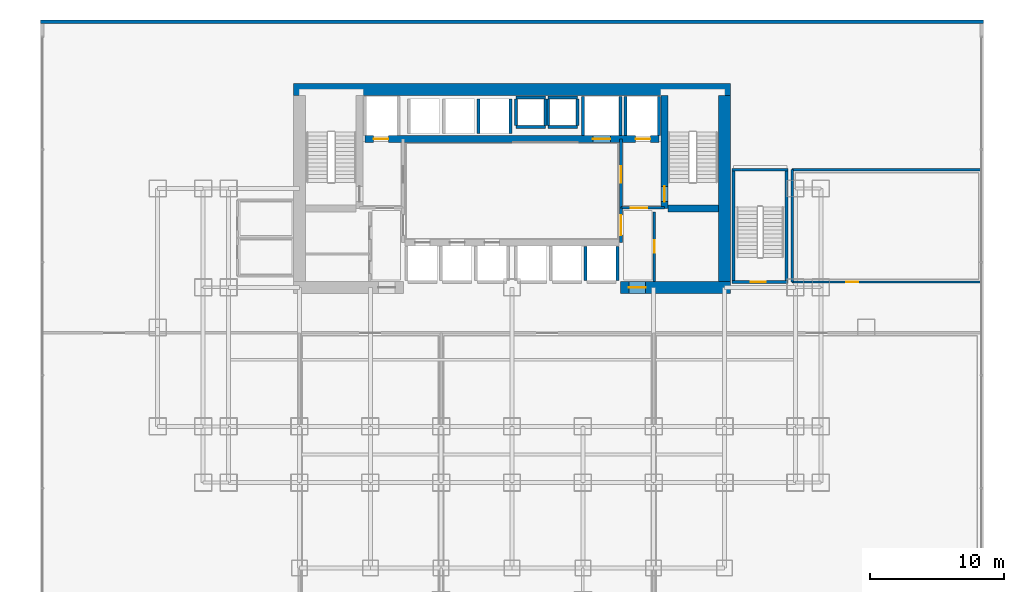
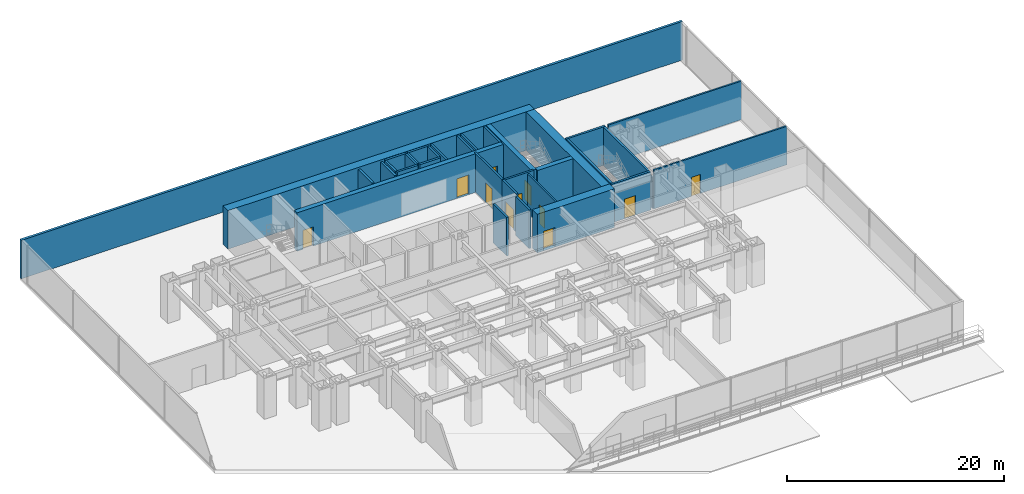
# One storey, part 10 of 13: 34 walls, 11 doors, 11 openings.
"""IFC4 building model written with IfcOpenShell, lengths in metres."""

from ifc_helpers import new_model, si_unit, direction, frame, frame_2d, origin, place, context, subcontext, project, spatial, rectangle, extrude, material, layer, layer_set, type_object, element, fill, save


model = new_model("IFC4")

# Units and contexts
model_context = context("Model", 3, precision=1e-05, world=origin(), true_north=direction((0.0, 1.0)))
body_context = subcontext(model_context, "Body", "Model", "MODEL_VIEW")
ifc_project = project(units=[si_unit("LENGTHUNIT", "METRE"), si_unit("AREAUNIT", "SQUARE_METRE"), si_unit("VOLUMEUNIT", "CUBIC_METRE"), si_unit("PLANEANGLEUNIT", "RADIAN"), si_unit("MASSUNIT", "GRAM", prefix="KILO")], contexts=[model_context])

# Site, building, storey
site_placement = place(None, origin())
site = spatial("IfcSite", under=ifc_project, at=site_placement, CompositionType="ELEMENT")
building_placement = place(site_placement, origin())
building = spatial("IfcBuilding", under=site, at=building_placement, Name="Qianlan Lanfeng Residences", CompositionType="ELEMENT")
storey_placement = place(building_placement, frame((0.0, 0.0, 5.199951171875)))
storey = spatial("IfcBuildingStorey", under=building, at=storey_placement, Name="L01", CompositionType="ELEMENT", Elevation=5.199951171875)

# Wall, opening, door
ifc_material_1 = material(Name="Concrete C70", Category="concrete")
ifc_layer_1 = layer(ifc_material_1, 0.5)
ifc_layer_set_1 = layer_set([ifc_layer_1], Name="Concrete C70")
wall_type_1 = type_object("IfcWallType", Name="CW-RC-500", PredefinedType="SHEAR", material=ifc_layer_set_1)
wall_1_placement = place(storey_placement, frame((37.89990234375, 31.10009765625, 0.0), z_axis=(0.0, 0.0, 1.0), x_axis=(0.0, 1.0, 0.0)))
wall_1 = element("IfcWall", 1, at=wall_1_placement, inside=storey, type_object=wall_type_1, Name="L01 Core Shear Wall ST2W", PredefinedType="SHEAR", context=body_context, shape_type="SweptSolid", body=[
    extrude(rectangle(XDim=8.449951171875, YDim=0.5, at=frame_2d((4.22509765625, 0.0))), origin(), (0.0, 0.0, 1.0), 4.35009765625),
])
opening_1_placement = place(wall_1_placement, frame((0.510009765625, 0.0, 0.0)))
opening_1 = element("IfcOpeningElement", 2, at=opening_1_placement, cuts=wall_1, Name="Opening L01-D08", PredefinedType="OPENING", context=body_context, shape_type="SweptSolid", body=[
    extrude(rectangle(XDim=1.14990234375, YDim=2.199951171875, at=frame_2d((0.574951171875, 1.10009765625))), frame((0.0, 0.260009765625, 0.0), z_axis=(0.0, -1.0, 0.0), x_axis=(1.0, 0.0, 0.0)), (0.0, 0.0, 1.0), 0.52001953125),
])
ifc_material_2 = material(Name="Painted Galvanised Steel Fire Door", Category="steel")
door_type_1 = type_object("IfcDoorType", Name="DT-ST1", OperationType="NOTDEFINED", PredefinedType="DOOR", material=ifc_material_2)
door_1_placement = place(opening_1_placement, origin())
door_1 = element("IfcDoor", 3, at=door_1_placement, inside=storey, type_object=door_type_1, Name="L01 Exit Stair ST-2 Door L01-D08 (DT-ST1)", OperationType="SINGLE_SWING_RIGHT", OverallHeight=2.199951171875, OverallWidth=1.14990234375, PredefinedType="DOOR", context=body_context, shape_type="SweptSolid", body=[
    extrude(rectangle(XDim=1.14990234375, YDim=2.199951171875, at=frame_2d((0.574951171875, 1.10009765625))), frame((0.0, 0.02490234375, 0.0), z_axis=(0.0, -1.0, 0.0), x_axis=(1.0, 0.0, 0.0)), (0.0, 0.0, 1.0), 0.050048828125),
])
fill(opening_1, door_1)

# Wall
wall_2_placement = place(storey_placement, frame((38.14990234375, 31.10009765625, 0.0), z_axis=(0.0, 0.0, 1.0), x_axis=(1.0, 0.0, 0.0)))
element("IfcWall", 4, at=wall_2_placement, inside=storey, type_object=wall_type_1, Name="L01 Core Shear Wall ST2S", PredefinedType="SHEAR", context=body_context, shape_type="SweptSolid", body=[
    extrude(rectangle(XDim=3.800048828125, YDim=0.5, at=frame_2d((1.89990234375, 0.0))), origin(), (0.0, 0.0, 1.0), 4.35009765625),
])

# Wall, openings, doors
wall_3_placement = place(storey_placement, frame((15.5, 36.300048828125, 0.0), z_axis=(0.0, 0.0, 1.0), x_axis=(1.0, 0.0, 0.0)))
wall_3 = element("IfcWall", 5, at=wall_3_placement, inside=storey, type_object=wall_type_1, Name="L01 Core Shear Wall LBN", PredefinedType="SHEAR", context=body_context, shape_type="SweptSolid", body=[
    extrude(rectangle(XDim=22.0, YDim=0.5, at=frame_2d((11.0, 0.0))), origin(), (0.0, 0.0, 1.0), 4.35009765625),
])
opening_2_placement = place(wall_3_placement, frame((0.64990234375, 0.0, 0.0)))
opening_2 = element("IfcOpeningElement", 6, at=opening_2_placement, cuts=wall_3, Name="Opening L01-LD-FFL-1", PredefinedType="OPENING", context=body_context, shape_type="SweptSolid", body=[
    extrude(rectangle(XDim=1.10009765625, YDim=2.14990234375, at=frame_2d((0.550048828125, 1.074951171875))), frame((0.0, 0.260009765625, 0.0), z_axis=(0.0, -1.0, 0.0), x_axis=(1.0, 0.0, 0.0)), (0.0, 0.0, 1.0), 0.52001953125),
])
opening_3_placement = place(wall_3_placement, frame((20.25, 0.0, 0.0)))
opening_3 = element("IfcOpeningElement", 7, at=opening_3_placement, cuts=wall_3, Name="Opening L01-LD-FFL-2", PredefinedType="OPENING", context=body_context, shape_type="SweptSolid", body=[
    extrude(rectangle(XDim=1.10009765625, YDim=2.14990234375, at=frame_2d((0.550048828125, 1.074951171875))), frame((0.0, 0.260009765625, 0.0), z_axis=(0.0, -1.0, 0.0), x_axis=(1.0, 0.0, 0.0)), (0.0, 0.0, 1.0), 0.52001953125),
])
opening_4_placement = place(wall_3_placement, frame((17.050048828125, 0.0, 0.0)))
opening_4 = element("IfcOpeningElement", 8, at=opening_4_placement, cuts=wall_3, Name="Opening L01-LD-SVL-1", PredefinedType="OPENING", context=body_context, shape_type="SweptSolid", body=[
    extrude(rectangle(XDim=1.300048828125, YDim=2.199951171875, at=frame_2d((0.64990234375, 1.10009765625))), frame((0.0, 0.260009765625, 0.0), z_axis=(0.0, -1.0, 0.0), x_axis=(1.0, 0.0, 0.0)), (0.0, 0.0, 1.0), 0.52001953125),
])
ifc_material_3 = material(Name="Brushed Stainless Steel Sliding Lift Door", Category="steel")
door_type_2 = type_object("IfcDoorType", Name="LD-01", OperationType="NOTDEFINED", PredefinedType="DOOR", material=ifc_material_3)
door_2_placement = place(opening_2_placement, frame((1.10009765625, 0.0, 0.0), z_axis=(0.0, 0.0, 1.0), x_axis=(-1.0, 0.0, 0.0)))
door_2 = element("IfcDoor", 9, at=door_2_placement, inside=storey, type_object=door_type_2, Name="L01 Elevator FFL-1 Sliding Landing Door", OperationType="DOUBLE_DOOR_SLIDING", OverallHeight=2.14990234375, OverallWidth=1.10009765625, PredefinedType="DOOR", context=body_context, shape_type="SweptSolid", body=[
    extrude(rectangle(XDim=1.10009765625, YDim=2.14990234375, at=frame_2d((0.550048828125, 1.074951171875))), frame((0.0, 0.02490234375, 0.0), z_axis=(0.0, -1.0, 0.0), x_axis=(1.0, 0.0, 0.0)), (0.0, 0.0, 1.0), 0.050048828125),
])
fill(opening_2, door_2)
door_3_placement = place(opening_3_placement, frame((1.10009765625, 0.0, 0.0), z_axis=(0.0, 0.0, 1.0), x_axis=(-1.0, 0.0, 0.0)))
door_3 = element("IfcDoor", 10, at=door_3_placement, inside=storey, type_object=door_type_2, Name="L01 Elevator FFL-2 Sliding Landing Door", OperationType="DOUBLE_DOOR_SLIDING", OverallHeight=2.14990234375, OverallWidth=1.10009765625, PredefinedType="DOOR", context=body_context, shape_type="SweptSolid", body=[
    extrude(rectangle(XDim=1.10009765625, YDim=2.14990234375, at=frame_2d((0.550048828125, 1.074951171875))), frame((0.0, 0.02490234375, 0.0), z_axis=(0.0, -1.0, 0.0), x_axis=(1.0, 0.0, 0.0)), (0.0, 0.0, 1.0), 0.050048828125),
])
fill(opening_3, door_3)
door_type_3 = type_object("IfcDoorType", Name="LD-02", OperationType="NOTDEFINED", PredefinedType="DOOR", material=ifc_material_3)
door_4_placement = place(opening_4_placement, frame((1.300048828125, 0.0, 0.0), z_axis=(0.0, 0.0, 1.0), x_axis=(-1.0, 0.0, 0.0)))
door_4 = element("IfcDoor", 11, at=door_4_placement, inside=storey, type_object=door_type_3, Name="L01 Elevator SVL-1 Sliding Landing Door", OperationType="DOUBLE_DOOR_SLIDING", OverallHeight=2.199951171875, OverallWidth=1.300048828125, PredefinedType="DOOR", context=body_context, shape_type="SweptSolid", body=[
    extrude(rectangle(XDim=1.300048828125, YDim=2.199951171875, at=frame_2d((0.64990234375, 1.10009765625))), frame((0.0, 0.02490234375, 0.0), z_axis=(0.0, -1.0, 0.0), x_axis=(1.0, 0.0, 0.0)), (0.0, 0.0, 1.0), 0.050048828125),
])
fill(opening_4, door_4)

# Walls
ifc_layer_2 = layer(ifc_material_1, 0.89990234375)
ifc_layer_set_2 = layer_set([ifc_layer_2], Name="Concrete C70")
wall_type_2 = type_object("IfcWallType", Name="CW-RC-900", PredefinedType="SHEAR", material=ifc_layer_set_2)
wall_4_placement = place(storey_placement, frame((10.14990234375, 40.0, 0.0), z_axis=(0.0, 0.0, 1.0), x_axis=(1.0, 0.0, 0.0)))
element("IfcWall", 12, at=wall_4_placement, inside=storey, type_object=wall_type_2, Name="L01 Core Shear Wall N", PredefinedType="SHEAR", context=body_context, shape_type="SweptSolid", body=[
    extrude(rectangle(XDim=32.7001953125, YDim=0.89990234375, at=frame_2d((16.35009765625, 0.0))), origin(), (0.0, 0.0, 1.0), 4.35009765625),
])
wall_5_placement = place(storey_placement, frame((42.39990234375, 25.64990234375, 0.0), z_axis=(0.0, 0.0, 1.0), x_axis=(0.0, 1.0, 0.0)))
element("IfcWall", 13, at=wall_5_placement, inside=storey, type_object=wall_type_2, Name="L01 Core Shear Wall E", PredefinedType="SHEAR", context=body_context, shape_type="SweptSolid", body=[
    extrude(rectangle(XDim=13.900146484375, YDim=0.89990234375, at=frame_2d((6.9501953125, 0.0))), origin(), (0.0, 0.0, 1.0), 4.35009765625),
])

# Wall, opening, door
wall_6_placement = place(storey_placement, frame((34.60009765625, 25.199951171875, 0.0), z_axis=(0.0, 0.0, 1.0), x_axis=(1.0, 0.0, 0.0)))
wall_6 = element("IfcWall", 14, at=wall_6_placement, inside=storey, type_object=wall_type_2, Name="L01 Core Shear Wall SE", PredefinedType="SHEAR", context=body_context, shape_type="SweptSolid", body=[
    extrude(rectangle(XDim=8.25, YDim=0.89990234375, at=frame_2d((4.125, 0.0))), origin(), (0.0, 0.0, 1.0), 4.35009765625),
])
opening_5_placement = place(wall_6_placement, frame((0.64990234375, 0.0, 0.0)))
opening_5 = element("IfcOpeningElement", 15, at=opening_5_placement, cuts=wall_6, Name="Opening L01-D02", PredefinedType="OPENING", context=body_context, shape_type="SweptSolid", body=[
    extrude(rectangle(XDim=1.25, YDim=2.199951171875, at=frame_2d((0.625, 1.10009765625))), frame((0.0, 0.4599609375, 0.0), z_axis=(0.0, -1.0, 0.0), x_axis=(1.0, 0.0, 0.0)), (0.0, 0.0, 1.0), 0.919921875),
])
door_type_4 = type_object("IfcDoorType", Name="DT-FFL", OperationType="NOTDEFINED", PredefinedType="DOOR", material=ifc_material_2)
door_5_placement = place(opening_5_placement, frame((1.25, 0.0, 0.0), z_axis=(0.0, 0.0, 1.0), x_axis=(-1.0, 0.0, 0.0)))
door_5 = element("IfcDoor", 16, at=door_5_placement, inside=storey, type_object=door_type_4, Name="L01 East Core Lobby Smoke Door L01-D02 (DT-FFL)", OperationType="SINGLE_SWING_LEFT", OverallHeight=2.199951171875, OverallWidth=1.25, PredefinedType="DOOR", context=body_context, shape_type="SweptSolid", body=[
    extrude(rectangle(XDim=1.25, YDim=2.199951171875, at=frame_2d((0.625, 1.10009765625))), frame((0.0, 0.02490234375, 0.0), z_axis=(0.0, -1.0, 0.0), x_axis=(1.0, 0.0, 0.0)), (0.0, 0.0, 1.0), 0.050048828125),
])
fill(opening_5, door_5)

# Wall
ifc_material_4 = material(Name="Concrete C42", Category="concrete")
ifc_layer_3 = layer(ifc_material_4, 0.260009765625)
ifc_layer_set_3 = layer_set([ifc_layer_3], Name="Concrete C42")
wall_type_3 = type_object("IfcWallType", Name="EW-260", PredefinedType="SOLIDWALL", material=ifc_layer_set_3)
wall_7_placement = place(storey_placement, frame((61.75, 45.070068359375, 0.0), z_axis=(0.0, 0.0, 1.0), x_axis=(-1.0, 0.0, 0.0)))
element("IfcWall", 17, at=wall_7_placement, inside=storey, type_object=wall_type_3, Name="L01 North Exterior Wall", PredefinedType="SOLIDWALL", context=body_context, shape_type="SweptSolid", body=[
    extrude(rectangle(XDim=70.5, YDim=0.260009765625, at=frame_2d((35.25, 0.0))), origin(), (0.0, 0.0, 1.0), 4.35009765625),
])

# Wall, opening, door
ifc_material_5 = material(Name="Double-Layer Acoustic Gypsum Stud Wall 180 mm")
ifc_layer_4 = layer(ifc_material_5, 0.179931640625)
ifc_layer_set_4 = layer_set([ifc_layer_4], Name="Double-Layer Acoustic Gypsum Stud Wall 180 mm")
wall_type_4 = type_object("IfcWallType", Name="PW-180", PredefinedType="PARTITIONING", material=ifc_layer_set_4)
wall_8_placement = place(storey_placement, frame((37.14990234375, 25.64990234375, 0.0), z_axis=(0.0, 0.0, 1.0), x_axis=(0.0, 1.0, 0.0)))
wall_8 = element("IfcWall", 18, at=wall_8_placement, inside=storey, type_object=wall_type_4, Name="L01 Core East Service Room Wall", PredefinedType="PARTITIONING", context=body_context, shape_type="SweptSolid", body=[
    extrude(rectangle(XDim=5.2001953125, YDim=0.179931640625, at=frame_2d((2.60009765625, 0.0))), origin(), (0.0, 0.0, 1.0), 4.35009765625),
])
opening_6_placement = place(wall_8_placement, frame((2.139892578125, 0.0, 0.0)))
opening_6 = element("IfcOpeningElement", 19, at=opening_6_placement, cuts=wall_8, Name="Opening L01-D11", PredefinedType="OPENING", context=body_context, shape_type="SweptSolid", body=[
    extrude(rectangle(XDim=0.919921875, YDim=2.14990234375, at=frame_2d((0.4599609375, 1.074951171875))), frame((0.0, 0.10009765625, 0.0), z_axis=(0.0, -1.0, 0.0), x_axis=(1.0, 0.0, 0.0)), (0.0, 0.0, 1.0), 0.199951171875),
])
ifc_material_6 = material(Name="Glazed Timber Kitchen/Study Door", Category="wood")
door_type_5 = type_object("IfcDoorType", Name="DT-INT", OperationType="NOTDEFINED", PredefinedType="DOOR", material=ifc_material_6)
door_6_placement = place(opening_6_placement, origin())
door_6 = element("IfcDoor", 20, at=door_6_placement, inside=storey, type_object=door_type_5, Name="L01 Mail Parcel Closet Door L01-D11 (DT-INT)", OperationType="SINGLE_SWING_RIGHT", OverallHeight=2.14990234375, OverallWidth=0.919921875, PredefinedType="DOOR", context=body_context, shape_type="SweptSolid", body=[
    extrude(rectangle(XDim=0.919921875, YDim=2.14990234375, at=frame_2d((0.4599609375, 1.074951171875))), frame((0.0, 0.02490234375, 0.0), z_axis=(0.0, -1.0, 0.0), x_axis=(1.0, 0.0, 0.0)), (0.0, 0.0, 1.0), 0.050048828125),
])
fill(opening_6, door_6)

# Wall
wall_9_placement = place(storey_placement, frame((47.449951171875, 25.60009765625, 0.0), z_axis=(0.0, 0.0, 1.0), x_axis=(0.0, 1.0, 0.0)))
element("IfcWall", 21, at=wall_9_placement, inside=storey, type_object=wall_type_4, Name="L01 East Salon West Wall", PredefinedType="PARTITIONING", context=body_context, shape_type="SweptSolid", body=[
    extrude(rectangle(XDim=8.39990234375, YDim=0.179931640625, at=frame_2d((4.199951171875, 0.0))), origin(), (0.0, 0.0, 1.0), 3.4951171875),
])

# Wall, opening, door
wall_10_placement = place(storey_placement, frame((47.449951171875, 25.60009765625, 0.0), z_axis=(0.0, 0.0, 1.0), x_axis=(1.0, 0.0, 0.0)))
wall_10 = element("IfcWall", 22, at=wall_10_placement, inside=storey, type_object=wall_type_4, Name="L01 East Salon South Wall", PredefinedType="PARTITIONING", context=body_context, shape_type="SweptSolid", body=[
    extrude(rectangle(XDim=14.179931640625, YDim=0.179931640625, at=frame_2d((7.08984375, 0.0))), origin(), (0.0, 0.0, 1.0), 4.35009765625),
])
opening_7_placement = place(wall_10_placement, frame((4.0400390625, 0.0, 0.0)))
opening_7 = element("IfcOpeningElement", 23, at=opening_7_placement, cuts=wall_10, Name="Opening L01-D19", PredefinedType="OPENING", context=body_context, shape_type="SweptSolid", body=[
    extrude(rectangle(XDim=0.919921875, YDim=2.14990234375, at=frame_2d((0.4599609375, 1.074951171875))), frame((0.0, 0.10009765625, 0.0), z_axis=(0.0, -1.0, 0.0), x_axis=(1.0, 0.0, 0.0)), (0.0, 0.0, 1.0), 0.199951171875),
])
door_7_placement = place(opening_7_placement, origin())
door_7 = element("IfcDoor", 24, at=door_7_placement, inside=storey, type_object=door_type_5, Name="L01 Resident Lounge Door L01-D19 (DT-INT)", OperationType="SINGLE_SWING_RIGHT", OverallHeight=2.14990234375, OverallWidth=0.919921875, PredefinedType="DOOR", context=body_context, shape_type="SweptSolid", body=[
    extrude(rectangle(XDim=0.919921875, YDim=2.14990234375, at=frame_2d((0.4599609375, 1.074951171875))), frame((0.0, 0.02490234375, 0.0), z_axis=(0.0, -1.0, 0.0), x_axis=(1.0, 0.0, 0.0)), (0.0, 0.0, 1.0), 0.050048828125),
])
fill(opening_7, door_7)

# Wall
wall_11_placement = place(storey_placement, frame((47.449951171875, 34.0, 0.0), z_axis=(0.0, 0.0, 1.0), x_axis=(1.0, 0.0, 0.0)))
element("IfcWall", 25, at=wall_11_placement, inside=storey, type_object=wall_type_4, Name="L01 East Salon North Wall", PredefinedType="PARTITIONING", context=body_context, shape_type="SweptSolid", body=[
    extrude(rectangle(XDim=14.179931640625, YDim=0.179931640625, at=frame_2d((7.08984375, 0.0))), origin(), (0.0, 0.0, 1.0), 4.35009765625),
])

# Wall, opening, door
ifc_material_7 = material(Name="Autoclaved Aerated Concrete Blockwork 200 mm", Category="masonry")
ifc_layer_5 = layer(ifc_material_7, 0.199951171875)
ifc_layer_set_5 = layer_set([ifc_layer_5], Name="Autoclaved Aerated Concrete Blockwork 200 mm")
wall_type_5 = type_object("IfcWallType", Name="PW-200", PredefinedType="PARTITIONING", material=ifc_layer_set_5)
wall_12_placement = place(storey_placement, frame((34.64990234375, 31.14990234375, 0.0), z_axis=(0.0, 0.0, 1.0), x_axis=(1.0, 0.0, 0.0)))
wall_12 = element("IfcWall", 26, at=wall_12_placement, inside=storey, type_object=wall_type_5, Name="L01 Firefighting Lobby 2 South Wall", PredefinedType="PARTITIONING", context=body_context, shape_type="SweptSolid", body=[
    extrude(rectangle(XDim=3.25, YDim=0.199951171875, at=frame_2d((1.625, 0.0))), origin(), (0.0, 0.0, 1.0), 4.35009765625),
])
opening_8_placement = place(wall_12_placement, frame((0.72509765625, 0.0, 0.0)))
opening_8 = element("IfcOpeningElement", 27, at=opening_8_placement, cuts=wall_12, Name="Opening L01-D05", PredefinedType="OPENING", context=body_context, shape_type="SweptSolid", body=[
    extrude(rectangle(XDim=1.25, YDim=2.199951171875, at=frame_2d((0.625, 1.10009765625))), frame((0.0, 0.10986328125, 0.0), z_axis=(0.0, -1.0, 0.0), x_axis=(1.0, 0.0, 0.0)), (0.0, 0.0, 1.0), 0.219970703125),
])
door_8_placement = place(opening_8_placement, origin())
door_8 = element("IfcDoor", 28, at=door_8_placement, inside=storey, type_object=door_type_4, Name="L01 Firefighting Lobby 2 Entry Door L01-D05 (DT-FFL)", OperationType="SINGLE_SWING_RIGHT", OverallHeight=2.199951171875, OverallWidth=1.25, PredefinedType="DOOR", context=body_context, shape_type="SweptSolid", body=[
    extrude(rectangle(XDim=1.25, YDim=2.199951171875, at=frame_2d((0.625, 1.10009765625))), frame((0.0, 0.02490234375, 0.0), z_axis=(0.0, -1.0, 0.0), x_axis=(1.0, 0.0, 0.0)), (0.0, 0.0, 1.0), 0.050048828125),
])
fill(opening_8, door_8)

wall_13_placement = place(storey_placement, frame((34.64990234375, 31.14990234375, 0.0), z_axis=(0.0, 0.0, 1.0), x_axis=(0.0, 1.0, 0.0)))
wall_13 = element("IfcWall", 29, at=wall_13_placement, inside=storey, type_object=wall_type_5, Name="L01 Firefighting Lobby 2 West Wall", PredefinedType="PARTITIONING", context=body_context, shape_type="SweptSolid", body=[
    extrude(rectangle(XDim=5.150146484375, YDim=0.199951171875, at=frame_2d((2.5751953125, 0.0))), origin(), (0.0, 0.0, 1.0), 4.35009765625),
])
opening_9_placement = place(wall_13_placement, frame((1.875, 0.0, 0.0)))
opening_9 = element("IfcOpeningElement", 30, at=opening_9_placement, cuts=wall_13, Name="Opening L01-D06", PredefinedType="OPENING", context=body_context, shape_type="SweptSolid", body=[
    extrude(rectangle(XDim=1.25, YDim=2.199951171875, at=frame_2d((0.625, 1.10009765625))), frame((0.0, 0.10986328125, 0.0), z_axis=(0.0, -1.0, 0.0), x_axis=(1.0, 0.0, 0.0)), (0.0, 0.0, 1.0), 0.219970703125),
])
door_9_placement = place(opening_9_placement, origin())
door_9 = element("IfcDoor", 31, at=door_9_placement, inside=storey, type_object=door_type_4, Name="L01 Firefighting Lobby 2 Lift Lobby Door L01-D06 (DT-FFL)", OperationType="SINGLE_SWING_LEFT", OverallHeight=2.199951171875, OverallWidth=1.25, PredefinedType="DOOR", context=body_context, shape_type="SweptSolid", body=[
    extrude(rectangle(XDim=1.25, YDim=2.199951171875, at=frame_2d((0.625, 1.10009765625))), frame((0.0, 0.02490234375, 0.0), z_axis=(0.0, -1.0, 0.0), x_axis=(1.0, 0.0, 0.0)), (0.0, 0.0, 1.0), 0.050048828125),
])
fill(opening_9, door_9)

wall_14_placement = place(storey_placement, frame((34.64990234375, 28.550048828125, 0.0), z_axis=(0.0, 0.0, 1.0), x_axis=(0.0, 1.0, 0.0)))
wall_14 = element("IfcWall", 32, at=wall_14_placement, inside=storey, type_object=wall_type_5, Name="L01 Lift Lobby East Connector Wall", PredefinedType="PARTITIONING", context=body_context, shape_type="SweptSolid", body=[
    extrude(rectangle(XDim=2.599853515625, YDim=0.199951171875, at=frame_2d((1.2998046875, 0.0))), origin(), (0.0, 0.0, 1.0), 4.35009765625),
])
opening_10_placement = place(wall_14_placement, frame((0.550048828125, 0.0, 0.0)))
opening_10 = element("IfcOpeningElement", 33, at=opening_10_placement, cuts=wall_14, Name="Opening L01-D14", PredefinedType="OPENING", context=body_context, shape_type="SweptSolid", body=[
    extrude(rectangle(XDim=1.5, YDim=2.25, at=frame_2d((0.75, 1.125))), frame((0.0, 0.10986328125, 0.0), z_axis=(0.0, -1.0, 0.0), x_axis=(1.0, 0.0, 0.0)), (0.0, 0.0, 1.0), 0.219970703125),
])
ifc_material_8 = material(Name="Timber Veneer Acoustic Fire Door", Category="wood")
door_type_6 = type_object("IfcDoorType", Name="DT-COR1", OperationType="NOTDEFINED", PredefinedType="DOOR", material=ifc_material_8)
door_10_placement = place(opening_10_placement, frame((1.5, 0.0, 0.0), z_axis=(0.0, 0.0, 1.0), x_axis=(-1.0, 0.0, 0.0)))
door_10 = element("IfcDoor", 34, at=door_10_placement, inside=storey, type_object=door_type_6, Name="L01 Lift Lobby East Portal Door L01-D14 (DT-COR1)", OperationType="DOUBLE_DOOR_SINGLE_SWING", OverallHeight=2.25, OverallWidth=1.5, PredefinedType="DOOR", context=body_context, shape_type="SweptSolid", body=[
    extrude(rectangle(XDim=1.5, YDim=2.25, at=frame_2d((0.75, 1.125))), frame((0.0, 0.02490234375, 0.0), z_axis=(0.0, -1.0, 0.0), x_axis=(1.0, 0.0, 0.0)), (0.0, 0.0, 1.0), 0.050048828125),
])
fill(opening_10, door_10)

# Walls
ifc_material_9 = material(Name="Concrete C49", Category="concrete")
ifc_layer_6 = layer(ifc_material_9, 0.219970703125)
ifc_layer_set_6 = layer_set([ifc_layer_6], Name="Concrete C49")
wall_type_6 = type_object("IfcWallType", Name="SHW-220", PredefinedType="SOLIDWALL", material=ifc_layer_set_6)
for number, where, z_axis, x_axis, name in (
    (35, (35.0, 36.550048828125, 0.0), (0.0, 0.0, 1.0), (0.0, 1.0, 0.0), "L01 Lift FFL-2 Shaft Wall W"),
    (36, (37.47998046875, 36.550048828125, 0.0), (0.0, 0.0, 1.0), (0.0, 1.0, 0.0), "L01 Lift FFL-2 Shaft Wall E"),
    (37, (31.800048828125, 36.550048828125, 0.0), (0.0, 0.0, 1.0), (0.0, 1.0, 0.0), "L01 Lift SVL-1 Shaft Wall W"),
    (38, (34.60009765625, 36.550048828125, 0.0), (0.0, 0.0, 1.0), (0.0, 1.0, 0.0), "L01 Lift SVL-1 Shaft Wall E"),
):
    element("IfcWall", number, at=place(storey_placement, frame(where, z_axis=z_axis, x_axis=x_axis)), inside=storey, type_object=wall_type_6, Name=name, PredefinedType="SOLIDWALL", context=body_context, shape_type="SweptSolid", body=[
        extrude(rectangle(XDim=2.929931640625, YDim=0.219970703125, at=frame_2d((1.46484375, 0.0))), origin(), (0.0, 0.0, 1.0), 4.35009765625),
    ])
for number, where, z_axis, x_axis, name in (
    (39, (32.0, 25.719970703125, 0.0), (0.0, 0.0, 1.0), (0.0, 1.0, 0.0), "L01 Lift PL-M3 Shaft Wall W"),
    (40, (34.39990234375, 25.719970703125, 0.0), (0.0, 0.0, 1.0), (0.0, 1.0, 0.0), "L01 Lift PL-M3 Shaft Wall E"),
):
    element("IfcWall", number, at=place(storey_placement, frame(where, z_axis=z_axis, x_axis=x_axis)), inside=storey, type_object=wall_type_6, Name=name, PredefinedType="SOLIDWALL", context=body_context, shape_type="SweptSolid", body=[
        extrude(rectangle(XDim=2.530029296875, YDim=0.219970703125, at=frame_2d((1.26513671875, 0.0))), origin(), (0.0, 0.0, 1.0), 4.35009765625),
    ])
for number, where, z_axis, x_axis, name in (
    (41, (24.0, 36.719970703125, 0.0), (0.0, 0.0, 1.0), (0.0, 1.0, 0.0), "L01 Lift PL-H3 Shaft Wall W"),
    (42, (26.39990234375, 36.719970703125, 0.0), (0.0, 0.0, 1.0), (0.0, 1.0, 0.0), "L01 Lift PL-H3 Shaft Wall E"),
):
    element("IfcWall", number, at=place(storey_placement, frame(where, z_axis=z_axis, x_axis=x_axis)), inside=storey, type_object=wall_type_6, Name=name, PredefinedType="SOLIDWALL", context=body_context, shape_type="SweptSolid", body=[
        extrude(rectangle(XDim=2.56005859375, YDim=0.219970703125, at=frame_2d((1.280029296875, 0.0))), origin(), (0.0, 0.0, 1.0), 4.35009765625),
    ])
for number, where, z_axis, x_axis, name in (
    (43, (26.800048828125, 37.31005859375, 0.0), (0.0, 0.0, 1.0), (0.0, 1.0, 0.0), "L01 MEP Riser MEP-R1 Shaft Wall W"),
    (44, (29.0, 37.31005859375, 0.0), (0.0, 0.0, 1.0), (0.0, 1.0, 0.0), "L01 MEP Riser MEP-R1 Shaft Wall E"),
):
    element("IfcWall", number, at=place(storey_placement, frame(where, z_axis=z_axis, x_axis=x_axis)), inside=storey, type_object=wall_type_6, Name=name, PredefinedType="SOLIDWALL", context=body_context, shape_type="SweptSolid", body=[
        extrude(rectangle(XDim=1.97998046875, YDim=0.219970703125, at=frame_2d((0.989990234375, 0.0))), origin(), (0.0, 0.0, 1.0), 4.35009765625),
    ])
for number, where, z_axis, x_axis, name in (
    (45, (26.800048828125, 39.39990234375, 0.0), (0.0, 0.0, 1.0), (1.0, 0.0, 0.0), "L01 MEP Riser MEP-R1 Shaft Wall N"),
    (46, (26.800048828125, 37.199951171875, 0.0), (0.0, 0.0, 1.0), (1.0, 0.0, 0.0), "L01 MEP Riser MEP-R1 Shaft Wall S"),
):
    element("IfcWall", number, at=place(storey_placement, frame(where, z_axis=z_axis, x_axis=x_axis)), inside=storey, type_object=wall_type_6, Name=name, PredefinedType="SOLIDWALL", context=body_context, shape_type="SweptSolid", body=[
        extrude(rectangle(XDim=2.199951171875, YDim=0.219970703125, at=frame_2d((1.10009765625, 0.0))), origin(), (0.0, 0.0, 1.0), 4.35009765625),
    ])
for number, where, z_axis, x_axis, name in (
    (47, (29.199951171875, 37.31005859375, 0.0), (0.0, 0.0, 1.0), (0.0, 1.0, 0.0), "L01 MEP Riser MEP-R2 Shaft Wall W"),
    (48, (31.39990234375, 37.31005859375, 0.0), (0.0, 0.0, 1.0), (0.0, 1.0, 0.0), "L01 MEP Riser MEP-R2 Shaft Wall E"),
):
    element("IfcWall", number, at=place(storey_placement, frame(where, z_axis=z_axis, x_axis=x_axis)), inside=storey, type_object=wall_type_6, Name=name, PredefinedType="SOLIDWALL", context=body_context, shape_type="SweptSolid", body=[
        extrude(rectangle(XDim=1.97998046875, YDim=0.219970703125, at=frame_2d((0.989990234375, 0.0))), origin(), (0.0, 0.0, 1.0), 4.35009765625),
    ])
for number, where, z_axis, x_axis, name in (
    (49, (29.199951171875, 39.39990234375, 0.0), (0.0, 0.0, 1.0), (1.0, 0.0, 0.0), "L01 MEP Riser MEP-R2 Shaft Wall N"),
    (50, (29.199951171875, 37.199951171875, 0.0), (0.0, 0.0, 1.0), (1.0, 0.0, 0.0), "L01 MEP Riser MEP-R2 Shaft Wall S"),
):
    element("IfcWall", number, at=place(storey_placement, frame(where, z_axis=z_axis, x_axis=x_axis)), inside=storey, type_object=wall_type_6, Name=name, PredefinedType="SOLIDWALL", context=body_context, shape_type="SweptSolid", body=[
        extrude(rectangle(XDim=2.199951171875, YDim=0.219970703125, at=frame_2d((1.10009765625, 0.0))), origin(), (0.0, 0.0, 1.0), 4.35009765625),
    ])
ifc_layer_7 = layer(ifc_material_9, 0.219970703125)
ifc_layer_set_7 = layer_set([ifc_layer_7], Name="Concrete C49")
wall_type_7 = type_object("IfcWallType", Name="STW-RC-220", PredefinedType="SHEAR", material=ifc_layer_set_7)
wall_15_placement = place(storey_placement, frame((42.969970703125, 34.0, 0.0), z_axis=(0.0, 0.0, 1.0), x_axis=(1.0, 0.0, 0.0)))
element("IfcWall", 51, at=wall_15_placement, inside=storey, type_object=wall_type_7, Name="L01 Stair ST-P1 Enclosure Wall N", PredefinedType="SHEAR", context=body_context, shape_type="SweptSolid", body=[
    extrude(rectangle(XDim=4.159912109375, YDim=0.219970703125, at=frame_2d((2.080078125, 0.0))), origin(), (0.0, 0.0, 1.0), 4.35009765625),
])
for number, where, z_axis, x_axis, name in (
    (52, (43.080078125, 25.7099609375, 0.0), (0.0, 0.0, 1.0), (0.0, 1.0, 0.0), "L01 Stair ST-P1 Enclosure Wall W"),
    (53, (47.02001953125, 25.7099609375, 0.0), (0.0, 0.0, 1.0), (0.0, 1.0, 0.0), "L01 Stair ST-P1 Enclosure Wall E"),
):
    element("IfcWall", number, at=place(storey_placement, frame(where, z_axis=z_axis, x_axis=x_axis)), inside=storey, type_object=wall_type_7, Name=name, PredefinedType="SHEAR", context=body_context, shape_type="SweptSolid", body=[
        extrude(rectangle(XDim=8.179931640625, YDim=0.219970703125, at=frame_2d((4.08984375, 0.0))), origin(), (0.0, 0.0, 1.0), 4.35009765625),
    ])

# Wall, opening, door
wall_16_placement = place(storey_placement, frame((42.969970703125, 25.60009765625, 0.0), z_axis=(0.0, 0.0, 1.0), x_axis=(1.0, 0.0, 0.0)))
wall_16 = element("IfcWall", 54, at=wall_16_placement, inside=storey, type_object=wall_type_7, Name="L01 Stair ST-P1 Enclosure Wall S", PredefinedType="SHEAR", context=body_context, shape_type="SweptSolid", body=[
    extrude(rectangle(XDim=4.159912109375, YDim=0.219970703125, at=frame_2d((2.080078125, 0.0))), origin(), (0.0, 0.0, 1.0), 4.35009765625),
])
opening_11_placement = place(wall_16_placement, frame((1.375, 0.0, 0.0)))
opening_11 = element("IfcOpeningElement", 55, at=opening_11_placement, cuts=wall_16, Name="Opening L01-D12", PredefinedType="OPENING", context=body_context, shape_type="SweptSolid", body=[
    extrude(rectangle(XDim=1.14990234375, YDim=2.199951171875, at=frame_2d((0.574951171875, 1.10009765625))), frame((0.0, 0.1201171875, 0.0), z_axis=(0.0, -1.0, 0.0), x_axis=(1.0, 0.0, 0.0)), (0.0, 0.0, 1.0), 0.239990234375),
])
door_11_placement = place(opening_11_placement, origin())
door_11 = element("IfcDoor", 56, at=door_11_placement, inside=storey, type_object=door_type_1, Name="L01 Podium Exit Stair ST-P1 Door L01-D12 (DT-ST1)", OperationType="SINGLE_SWING_LEFT", OverallHeight=2.199951171875, OverallWidth=1.14990234375, PredefinedType="DOOR", context=body_context, shape_type="SweptSolid", body=[
    extrude(rectangle(XDim=1.14990234375, YDim=2.199951171875, at=frame_2d((0.574951171875, 1.10009765625))), frame((0.0, 0.02490234375, 0.0), z_axis=(0.0, -1.0, 0.0), x_axis=(1.0, 0.0, 0.0)), (0.0, 0.0, 1.0), 0.050048828125),
])
fill(opening_11, door_11)

save(model, "model.ifc")
